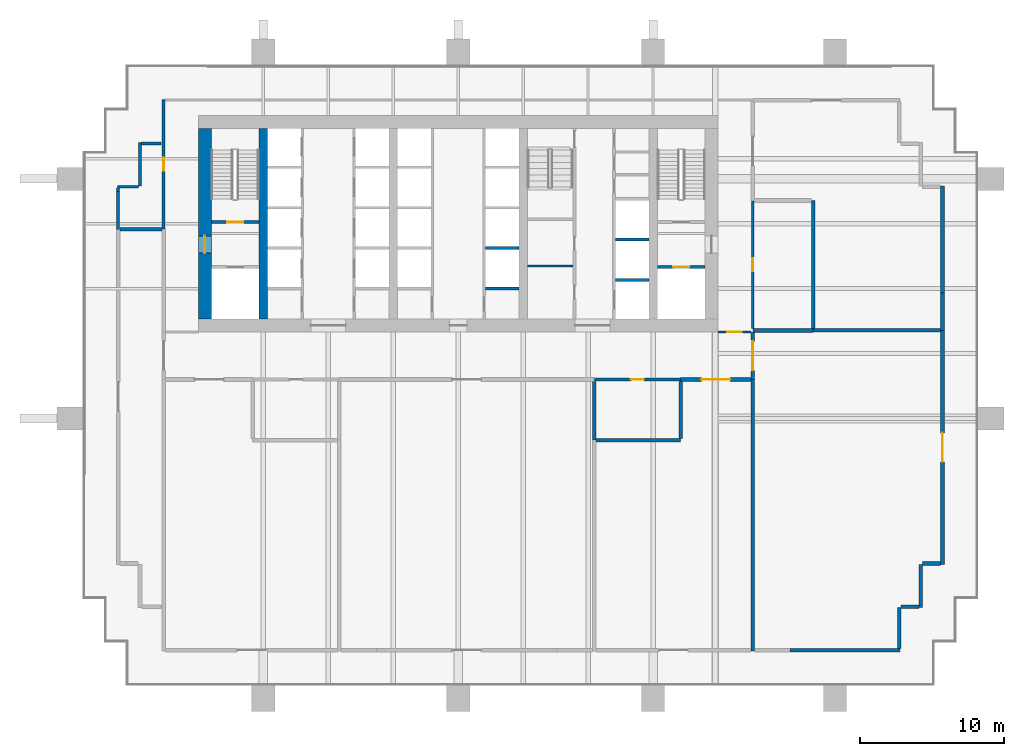
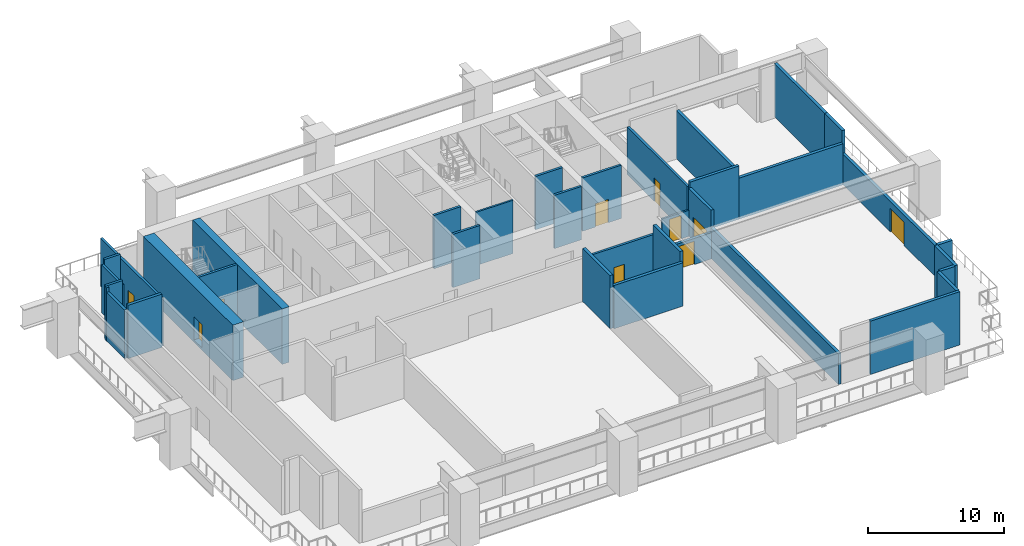
# One storey, part 3 of 9: 36 walls, 10 doors, 10 openings.
"""IFC4 building model written with IfcOpenShell, lengths in metres."""

from ifc_helpers import new_model, si_unit, direction, frame, frame_2d, origin, place, context, subcontext, project, spatial, rectangle, extrude, material, layer, layer_set, type_object, element, fill, save


model = new_model("IFC4")

# Units and contexts
model_context = context("Model", 3, precision=1e-05, world=origin(), true_north=direction((0.0, 1.0)))
body_context = subcontext(model_context, "Body", "Model", "MODEL_VIEW")
ifc_project = project(units=[si_unit("LENGTHUNIT", "METRE"), si_unit("AREAUNIT", "SQUARE_METRE"), si_unit("VOLUMEUNIT", "CUBIC_METRE"), si_unit("PLANEANGLEUNIT", "RADIAN"), si_unit("MASSUNIT", "GRAM", prefix="KILO")], contexts=[model_context])

# Site, building, storey
site_placement = place(None, origin())
site = spatial("IfcSite", under=ifc_project, at=site_placement, CompositionType="ELEMENT")
building_placement = place(site_placement, origin())
building = spatial("IfcBuilding", under=site, at=building_placement, Name="Rattan Terrace Tower", CompositionType="ELEMENT")
storey_placement = place(building_placement, frame((0.0, 0.0, 115.699951171875)))
storey = spatial("IfcBuildingStorey", under=building, at=storey_placement, Name="L26", CompositionType="ELEMENT", Elevation=115.699951171875)

# Wall
ifc_material_1 = material(Name="Gypsum board partition")
ifc_layer_1 = layer(ifc_material_1, 0.14990234375)
ifc_layer_set_1 = layer_set([ifc_layer_1], Name="Core partition 150")
wall_type_1 = type_object("IfcWallType", Name="Core partition 150", PredefinedType="PARTITIONING", material=ifc_layer_set_1)
wall_1_placement = place(storey_placement, frame((4.800048828125, -2.927978515625, 0.0), z_axis=(0.0, 0.0, 1.0), x_axis=(1.0, 0.0, 0.0)))
element("IfcWall", 1, at=wall_1_placement, inside=storey, type_object=wall_type_1, Name="Toilet wall", PredefinedType="PARTITIONING", context=body_context, shape_type="SweptSolid", body=[
    extrude(rectangle(XDim=3.14990234375, YDim=0.14990234375, at=frame_2d((1.574951171875, 0.0))), origin(), (0.0, 0.0, 1.0), 4.800048828125),
])

# Wall, opening, door
ifc_material_2 = material(Name="Gypsum board partition")
ifc_layer_2 = layer(ifc_material_2, 0.199951171875)
ifc_layer_set_2 = layer_set([ifc_layer_2], Name="Core partition 200")
wall_type_2 = type_object("IfcWallType", Name="Core partition 200", PredefinedType="PARTITIONING", material=ifc_layer_set_2)
wall_2_placement = place(storey_placement, frame((-17.10009765625, 0.10009765625, 0.0), z_axis=(0.0, 0.0, 1.0), x_axis=(1.0, 0.0, 0.0)))
wall_2 = element("IfcWall", 2, at=wall_2_placement, inside=storey, type_object=wall_type_2, Name="Stair enclosure wall", PredefinedType="PARTITIONING", context=body_context, shape_type="SweptSolid", body=[
    extrude(rectangle(XDim=3.300048828125, YDim=0.199951171875, at=frame_2d((1.64990234375, 0.0))), origin(), (0.0, 0.0, 1.0), 4.800048828125),
])
opening_1_placement = place(wall_2_placement, frame((1.10009765625, 0.0, 0.0)))
opening_1 = element("IfcOpeningElement", 3, at=opening_1_placement, cuts=wall_2, Name="Opening L26-D002", PredefinedType="OPENING", context=body_context, shape_type="SweptSolid", body=[
    extrude(rectangle(XDim=1.10009765625, YDim=2.10009765625, at=frame_2d((0.550048828125, 1.050048828125))), frame((0.0, 0.110595703125, 0.0), z_axis=(0.0, -1.0, 0.0), x_axis=(1.0, 0.0, 0.0)), (0.0, 0.0, 1.0), 0.220947265625),
])
ifc_material_3 = material(Name="Hollow-metal fire door leaf")
door_type_1 = type_object("IfcDoorType", Name="Core stair door 1100", OperationType="NOTDEFINED", PredefinedType="DOOR", material=ifc_material_3)
door_1_placement = place(opening_1_placement, origin())
door_1 = element("IfcDoor", 4, at=door_1_placement, inside=storey, type_object=door_type_1, Name="Door L26-D002", OperationType="SINGLE_SWING_LEFT", OverallHeight=2.10009765625, OverallWidth=1.10009765625, PredefinedType="DOOR", context=body_context, shape_type="SweptSolid", body=[
    extrude(rectangle(XDim=1.10009765625, YDim=2.10009765625, at=frame_2d((0.550048828125, 1.050048828125))), frame((0.0, 0.02490234375, 0.0), z_axis=(0.0, -1.0, 0.0), x_axis=(1.0, 0.0, 0.0)), (0.0, 0.0, 1.0), 0.050048828125),
])
fill(opening_1, door_1)

wall_3_placement = place(storey_placement, frame((13.800048828125, -3.0, 0.0), z_axis=(0.0, 0.0, 1.0), x_axis=(1.0, 0.0, 0.0)))
wall_3 = element("IfcWall", 5, at=wall_3_placement, inside=storey, type_object=wall_type_2, Name="Fire-fighting lobby wall", PredefinedType="PARTITIONING", context=body_context, shape_type="SweptSolid", body=[
    extrude(rectangle(XDim=3.300048828125, YDim=0.199951171875, at=frame_2d((1.64990234375, 0.0))), origin(), (0.0, 0.0, 1.0), 4.800048828125),
])
opening_2_placement = place(wall_3_placement, frame((1.10009765625, 0.0, 0.0)))
opening_2 = element("IfcOpeningElement", 6, at=opening_2_placement, cuts=wall_3, Name="Opening L26-LD-FF2", PredefinedType="OPENING", context=body_context, shape_type="SweptSolid", body=[
    extrude(rectangle(XDim=1.10009765625, YDim=2.10009765625, at=frame_2d((0.550048828125, 1.050048828125))), frame((0.0, 0.110595703125, 0.0), z_axis=(0.0, -1.0, 0.0), x_axis=(1.0, 0.0, 0.0)), (0.0, 0.0, 1.0), 0.220947265625),
])
ifc_material_4 = material(Name="Brushed stainless landing door panel")
door_type_2 = type_object("IfcDoorType", Name="Core lift landing door 1100", OperationType="DOUBLE_DOOR_SLIDING", PredefinedType="DOOR", material=ifc_material_4)
door_2_placement = place(opening_2_placement, origin())
door_2 = element("IfcDoor", 7, at=door_2_placement, inside=storey, type_object=door_type_2, Name="Door L26-LD-FF2", OperationType="DOUBLE_DOOR_SLIDING", OverallHeight=2.10009765625, OverallWidth=1.10009765625, PredefinedType="DOOR", context=body_context, shape_type="SweptSolid", body=[
    extrude(rectangle(XDim=1.10009765625, YDim=2.10009765625, at=frame_2d((0.550048828125, 1.050048828125))), frame((0.0, 0.02490234375, 0.0), z_axis=(0.0, -1.0, 0.0), x_axis=(1.0, 0.0, 0.0)), (0.0, 0.0, 1.0), 0.050048828125),
])
fill(opening_2, door_2)

ifc_material_5 = material(Name="Concrete C70/85", Category="concrete")
ifc_layer_3 = layer(ifc_material_5, 0.89990234375)
ifc_layer_set_3 = layer_set([ifc_layer_3], Name="Core ring wall 900 C70/85")
wall_type_3 = type_object("IfcWallType", Name="Core ring wall 900 C70/85", PredefinedType="SHEAR", material=ifc_layer_set_3)
wall_4_placement = place(storey_placement, frame((-17.550048828125, -6.60009765625, -0.199951171875), z_axis=(0.0, 0.0, 1.0), x_axis=(0.0, 1.0, 0.0)))
wall_4 = element("IfcWall", 8, at=wall_4_placement, inside=storey, type_object=wall_type_3, Name="Rear core wall west", PredefinedType="SHEAR", context=body_context, shape_type="SweptSolid", body=[
    extrude(rectangle(XDim=13.2001953125, YDim=0.89990234375, at=frame_2d((6.60009765625, 0.0))), origin(), (0.0, 0.0, 1.0), 5.0),
])
opening_3_placement = place(wall_4_placement, frame((4.550048828125, 0.0, 0.199951171875)))
opening_3 = element("IfcOpeningElement", 9, at=opening_3_placement, cuts=wall_4, Name="Opening L26-D001", PredefinedType="OPENING", context=body_context, shape_type="SweptSolid", body=[
    extrude(rectangle(XDim=1.199951171875, YDim=2.10009765625, at=frame_2d((0.60009765625, 1.050048828125))), frame((0.0, 0.46044921875, 0.0), z_axis=(0.0, -1.0, 0.0), x_axis=(1.0, 0.0, 0.0)), (0.0, 0.0, 1.0), 0.9208984375),
])
ifc_material_6 = material(Name="Hollow-metal fire door leaf")
door_type_3 = type_object("IfcDoorType", Name="Core fire-fighting lobby door 1200", OperationType="NOTDEFINED", PredefinedType="DOOR", material=ifc_material_6)
door_3_placement = place(opening_3_placement, origin())
door_3 = element("IfcDoor", 10, at=door_3_placement, inside=storey, type_object=door_type_3, Name="Door L26-D001", OperationType="SINGLE_SWING_RIGHT", OverallHeight=2.10009765625, OverallWidth=1.199951171875, PredefinedType="DOOR", context=body_context, shape_type="SweptSolid", body=[
    extrude(rectangle(XDim=1.199951171875, YDim=2.10009765625, at=frame_2d((0.60009765625, 1.050048828125))), frame((0.0, 0.02490234375, 0.0), z_axis=(0.0, -1.0, 0.0), x_axis=(1.0, 0.0, 0.0)), (0.0, 0.0, 1.0), 0.050048828125),
])
fill(opening_3, door_3)

# Wall
ifc_material_7 = material(Name="Concrete C70/85", Category="concrete")
ifc_layer_4 = layer(ifc_material_7, 0.60009765625)
ifc_layer_set_4 = layer_set([ifc_layer_4], Name="Core spine wall 600 C70/85")
wall_type_4 = type_object("IfcWallType", Name="Core spine wall 600 C70/85", PredefinedType="SHEAR", material=ifc_layer_set_4)
wall_5_placement = place(storey_placement, frame((-13.5, -6.60009765625, -0.199951171875), z_axis=(0.0, 0.0, 1.0), x_axis=(0.0, 1.0, 0.0)))
element("IfcWall", 11, at=wall_5_placement, inside=storey, type_object=wall_type_4, Name="Core spine wall 1", PredefinedType="SHEAR", context=body_context, shape_type="SweptSolid", body=[
    extrude(rectangle(XDim=13.2001953125, YDim=0.60009765625, at=frame_2d((6.60009765625, 0.0))), origin(), (0.0, 0.0, 1.0), 5.0),
])

# Wall, opening, door
ifc_material_8 = material(Name="Concrete block wall, plastered", Category="concrete")
ifc_layer_5 = layer(ifc_material_8, 0.199951171875)
ifc_layer_set_5 = layer_set([ifc_layer_5], Name="Floors Plant Wall 200")
wall_type_5 = type_object("IfcWallType", Name="Floors Plant Wall 200", PredefinedType="PARTITIONING", material=ifc_layer_set_5)
wall_6_placement = place(storey_placement, frame((15.39208984375, -10.799072265625, 0.0), z_axis=(0.0, 0.0, 1.0), x_axis=(-1.0, 0.0, 0.0)))
wall_6 = element("IfcWall", 12, at=wall_6_placement, inside=storey, type_object=wall_type_5, Name="pt-L26-007", PredefinedType="PARTITIONING", context=body_context, shape_type="SweptSolid", body=[
    extrude(rectangle(XDim=5.960205078125, YDim=0.199951171875, at=frame_2d((2.97998046875, 0.0))), origin(), (0.0, 0.0, 1.0), 3.900146484375),
])
opening_4_placement = place(wall_6_placement, frame((2.530029296875, 0.0, 0.0)))
opening_4 = element("IfcOpeningElement", 13, at=opening_4_placement, cuts=wall_6, Name="Opening L26-D109", PredefinedType="OPENING", context=body_context, shape_type="SweptSolid", body=[
    extrude(rectangle(XDim=0.89990234375, YDim=2.10009765625, at=frame_2d((0.449951171875, 1.050048828125))), frame((0.0, 0.110595703125, 0.0), z_axis=(0.0, -1.0, 0.0), x_axis=(1.0, 0.0, 0.0)), (0.0, 0.0, 1.0), 0.220947265625),
])
ifc_material_9 = material(Name="Steel fire door set", Category="steel")
door_type_4 = type_object("IfcDoorType", Name="Floors Fire Door FD60 900x2100", OperationType="NOTDEFINED", PredefinedType="DOOR", material=ifc_material_9)
door_4_placement = place(opening_4_placement, origin())
door_4 = element("IfcDoor", 14, at=door_4_placement, inside=storey, type_object=door_type_4, Name="d-L26-109", OperationType="SINGLE_SWING_RIGHT", OverallHeight=2.10009765625, OverallWidth=0.89990234375, PredefinedType="DOOR", context=body_context, shape_type="SweptSolid", body=[
    extrude(rectangle(XDim=0.89990234375, YDim=2.10009765625, at=frame_2d((0.449951171875, 1.050048828125))), frame((0.0, 0.02490234375, 0.0), z_axis=(0.0, -1.0, 0.0), x_axis=(1.0, 0.0, 0.0)), (0.0, 0.0, 1.0), 0.050048828125),
])
fill(opening_4, door_4)

wall_7_placement = place(storey_placement, frame((-20.39990234375, -0.3798828125, 0.0), z_axis=(0.0, 0.0, 1.0), x_axis=(0.0, 1.0, 0.0)))
wall_7 = element("IfcWall", 15, at=wall_7_placement, inside=storey, type_object=wall_type_5, Name="pt-L26-010", PredefinedType="PARTITIONING", context=body_context, shape_type="SweptSolid", body=[
    extrude(rectangle(XDim=8.97998046875, YDim=0.199951171875, at=frame_2d((4.489990234375, 0.0))), origin(), (0.0, 0.0, 1.0), 4.300048828125),
])
opening_5_placement = place(wall_7_placement, frame((4.0400390625, 0.0, 0.0)))
opening_5 = element("IfcOpeningElement", 16, at=opening_5_placement, cuts=wall_7, Name="Opening L26-D101", PredefinedType="OPENING", context=body_context, shape_type="SweptSolid", body=[
    extrude(rectangle(XDim=0.89990234375, YDim=2.10009765625, at=frame_2d((0.449951171875, 1.050048828125))), frame((0.0, 0.110595703125, 0.0), z_axis=(0.0, -1.0, 0.0), x_axis=(1.0, 0.0, 0.0)), (0.0, 0.0, 1.0), 0.220947265625),
])
door_5_placement = place(opening_5_placement, origin())
door_5 = element("IfcDoor", 17, at=door_5_placement, inside=storey, type_object=door_type_4, Name="d-L26-101", OperationType="SINGLE_SWING_RIGHT", OverallHeight=2.10009765625, OverallWidth=0.89990234375, PredefinedType="DOOR", context=body_context, shape_type="SweptSolid", body=[
    extrude(rectangle(XDim=0.89990234375, YDim=2.10009765625, at=frame_2d((0.449951171875, 1.050048828125))), frame((0.0, 0.02490234375, 0.0), z_axis=(0.0, -1.0, 0.0), x_axis=(1.0, 0.0, 0.0)), (0.0, 0.0, 1.0), 0.050048828125),
])
fill(opening_5, door_5)

wall_8_placement = place(storey_placement, frame((20.39892578125, 1.580078125, 0.0), z_axis=(0.0, 0.0, 1.0), x_axis=(0.0, -1.0, 0.0)))
wall_8 = element("IfcWall", 18, at=wall_8_placement, inside=storey, type_object=wall_type_5, Name="pt-L26-012", PredefinedType="PARTITIONING", context=body_context, shape_type="SweptSolid", body=[
    extrude(rectangle(XDim=8.85595703125, YDim=0.199951171875, at=frame_2d((4.427978515625, 0.0))), origin(), (0.0, 0.0, 1.0), 4.300048828125),
])
opening_6_placement = place(wall_8_placement, frame((3.97802734375, 0.0, 0.0)))
opening_6 = element("IfcOpeningElement", 19, at=opening_6_placement, cuts=wall_8, Name="Opening L26-D114", PredefinedType="OPENING", context=body_context, shape_type="SweptSolid", body=[
    extrude(rectangle(XDim=0.89990234375, YDim=2.10009765625, at=frame_2d((0.449951171875, 1.050048828125))), frame((0.0, 0.110595703125, 0.0), z_axis=(0.0, -1.0, 0.0), x_axis=(1.0, 0.0, 0.0)), (0.0, 0.0, 1.0), 0.220947265625),
])
door_6_placement = place(opening_6_placement, origin())
door_6 = element("IfcDoor", 20, at=door_6_placement, inside=storey, type_object=door_type_4, Name="d-L26-114", OperationType="SINGLE_SWING_LEFT", OverallHeight=2.10009765625, OverallWidth=0.89990234375, PredefinedType="DOOR", context=body_context, shape_type="SweptSolid", body=[
    extrude(rectangle(XDim=0.89990234375, YDim=2.10009765625, at=frame_2d((0.449951171875, 1.050048828125))), frame((0.0, 0.02490234375, 0.0), z_axis=(0.0, -1.0, 0.0), x_axis=(1.0, 0.0, 0.0)), (0.0, 0.0, 1.0), 0.050048828125),
])
fill(opening_6, door_6)

# Walls
wall_9_placement = place(storey_placement, frame((-23.551025390625, -0.39990234375, 0.0), z_axis=(0.0, 0.0, 1.0), x_axis=(0.0, 1.0, 0.0)))
element("IfcWall", 21, at=wall_9_placement, inside=storey, type_object=wall_type_5, Name="pt-L26-016", PredefinedType="PARTITIONING", context=body_context, shape_type="SweptSolid", body=[
    extrude(rectangle(XDim=2.619873046875, YDim=0.199951171875, at=frame_2d((1.31005859375, 0.0))), origin(), (0.0, 0.0, 1.0), 4.400146484375),
])
wall_10_placement = place(storey_placement, frame((-23.60009765625, 2.551025390625, 0.0), z_axis=(0.0, 0.0, 1.0), x_axis=(1.0, 0.0, 0.0)))
element("IfcWall", 22, at=wall_10_placement, inside=storey, type_object=wall_type_5, Name="pt-L26-017", PredefinedType="PARTITIONING", context=body_context, shape_type="SweptSolid", body=[
    extrude(rectangle(XDim=1.44921875, YDim=0.199951171875, at=frame_2d((0.724609375, 0.0))), origin(), (0.0, 0.0, 1.0), 4.800048828125),
])
wall_11_placement = place(storey_placement, frame((-23.551025390625, 2.219970703125, 0.0), z_axis=(0.0, 0.0, 1.0), x_axis=(0.0, 1.0, 0.0)))
element("IfcWall", 23, at=wall_11_placement, inside=storey, type_object=wall_type_5, Name="pt-L26-018", PredefinedType="PARTITIONING", context=body_context, shape_type="SweptSolid", body=[
    extrude(rectangle(XDim=0.23095703125, YDim=0.199951171875, at=frame_2d((0.115478515625, 0.0))), origin(), (0.0, 0.0, 1.0), 4.800048828125),
])
wall_12_placement = place(storey_placement, frame((-22.051025390625, 2.60009765625, 0.0), z_axis=(0.0, 0.0, 1.0), x_axis=(0.0, 1.0, 0.0)))
element("IfcWall", 24, at=wall_12_placement, inside=storey, type_object=wall_type_5, Name="pt-L26-019", PredefinedType="PARTITIONING", context=body_context, shape_type="SweptSolid", body=[
    extrude(rectangle(XDim=3.0, YDim=0.199951171875, at=frame_2d((1.5, 0.0))), origin(), (0.0, 0.0, 1.0), 4.300048828125),
])
wall_13_placement = place(storey_placement, frame((-21.950927734375, 5.551025390625, 0.0), z_axis=(0.0, 0.0, 1.0), x_axis=(1.0, 0.0, 0.0)))
element("IfcWall", 25, at=wall_13_placement, inside=storey, type_object=wall_type_5, Name="pt-L26-020", PredefinedType="PARTITIONING", context=body_context, shape_type="SweptSolid", body=[
    extrude(rectangle(XDim=1.350830078125, YDim=0.199951171875, at=frame_2d((0.67529296875, 0.0))), origin(), (0.0, 0.0, 1.0), 4.800048828125),
])

# Wall, opening, door
ifc_material_10 = material(Name="Reinforced concrete wall, painted", Category="concrete")
ifc_layer_6 = layer(ifc_material_10, 0.25)
ifc_layer_set_6 = layer_set([ifc_layer_6], Name="Floors Refuge Wall 250")
wall_type_6 = type_object("IfcWallType", Name="Floors Refuge Wall 250", PredefinedType="PARTITIONING", material=ifc_layer_set_6)
wall_14_placement = place(storey_placement, frame((20.27490234375, -10.799072265625, 0.0), z_axis=(0.0, 0.0, 1.0), x_axis=(-1.0, 0.0, 0.0)))
wall_14 = element("IfcWall", 26, at=wall_14_placement, inside=storey, type_object=wall_type_6, Name="pt-L26-008", PredefinedType="PARTITIONING", context=body_context, shape_type="SweptSolid", body=[
    extrude(rectangle(XDim=4.8828125, YDim=0.25, at=frame_2d((2.44140625, 0.0))), origin(), (0.0, 0.0, 1.0), 2.35009765625),
])
opening_7_placement = place(wall_14_placement, frame((1.44091796875, 0.0, 0.0)))
opening_7 = element("IfcOpeningElement", 27, at=opening_7_placement, cuts=wall_14, Name="Opening L26-D110", PredefinedType="OPENING", context=body_context, shape_type="SweptSolid", body=[
    extrude(rectangle(XDim=2.0, YDim=2.10009765625, at=frame_2d((1.0, 1.050048828125))), frame((0.0, 0.135498046875, 0.0), z_axis=(0.0, -1.0, 0.0), x_axis=(1.0, 0.0, 0.0)), (0.0, 0.0, 1.0), 0.27099609375),
])
ifc_material_11 = material(Name="Steel fire door set", Category="steel")
door_type_5 = type_object("IfcDoorType", Name="Floors Plant Equipment Door Pair FD120 2000x2100", OperationType="NOTDEFINED", PredefinedType="DOOR", material=ifc_material_11)
door_7_placement = place(opening_7_placement, origin())
door_7 = element("IfcDoor", 28, at=door_7_placement, inside=storey, type_object=door_type_5, Name="d-L26-110", OperationType="DOUBLE_DOOR_SINGLE_SWING", OverallHeight=2.10009765625, OverallWidth=2.0, PredefinedType="DOOR", context=body_context, shape_type="SweptSolid", body=[
    extrude(rectangle(XDim=2.0, YDim=2.10009765625, at=frame_2d((1.0, 1.050048828125))), frame((0.0, 0.02490234375, 0.0), z_axis=(0.0, -1.0, 0.0), x_axis=(1.0, 0.0, 0.0)), (0.0, 0.0, 1.0), 0.050048828125),
])
fill(opening_7, door_7)

wall_15_placement = place(storey_placement, frame((20.40087890625, -7.52587890625, 0.0), z_axis=(0.0, 0.0, 1.0), x_axis=(0.0, -1.0, 0.0)))
wall_15 = element("IfcWall", 29, at=wall_15_placement, inside=storey, type_object=wall_type_6, Name="pt-L26-009", PredefinedType="PARTITIONING", context=body_context, shape_type="SweptSolid", body=[
    extrude(rectangle(XDim=3.274169921875, YDim=0.25, at=frame_2d((1.63720703125, 0.0))), origin(), (0.0, 0.0, 1.0), 4.300048828125),
])
opening_8_placement = place(wall_15_placement, frame((0.636962890625, 0.0, 0.0)))
opening_8 = element("IfcOpeningElement", 30, at=opening_8_placement, cuts=wall_15, Name="Opening L26-D112", PredefinedType="OPENING", context=body_context, shape_type="SweptSolid", body=[
    extrude(rectangle(XDim=2.0, YDim=2.10009765625, at=frame_2d((1.0, 1.050048828125))), frame((0.0, 0.135498046875, 0.0), z_axis=(0.0, -1.0, 0.0), x_axis=(1.0, 0.0, 0.0)), (0.0, 0.0, 1.0), 0.27099609375),
])
door_8_placement = place(opening_8_placement, origin())
door_8 = element("IfcDoor", 31, at=door_8_placement, inside=storey, type_object=door_type_5, Name="d-L26-112", OperationType="DOUBLE_DOOR_SINGLE_SWING", OverallHeight=2.10009765625, OverallWidth=2.0, PredefinedType="DOOR", context=body_context, shape_type="SweptSolid", body=[
    extrude(rectangle(XDim=2.0, YDim=2.10009765625, at=frame_2d((1.0, 1.050048828125))), frame((0.0, 0.02490234375, 0.0), z_axis=(0.0, -1.0, 0.0), x_axis=(1.0, 0.0, 0.0)), (0.0, 0.0, 1.0), 0.050048828125),
])
fill(opening_8, door_8)

# Walls
wall_16_placement = place(storey_placement, frame((-20.52490234375, -0.39697265625, 0.0), z_axis=(0.0, 0.0, 1.0), x_axis=(-1.0, 0.0, 0.0)))
element("IfcWall", 32, at=wall_16_placement, inside=storey, type_object=wall_type_6, Name="pt-L26-015", PredefinedType="PARTITIONING", context=body_context, shape_type="SweptSolid", body=[
    extrude(rectangle(XDim=2.88818359375, YDim=0.25, at=frame_2d((1.444091796875, 0.0))), origin(), (0.0, 0.0, 1.0), 4.800048828125),
])
wall_17_placement = place(storey_placement, frame((9.412109375, -10.925048828125, 0.0), z_axis=(0.0, 0.0, 1.0), x_axis=(0.0, -1.0, 0.0)))
element("IfcWall", 33, at=wall_17_placement, inside=storey, type_object=wall_type_6, Name="pt-L26-032", PredefinedType="PARTITIONING", context=body_context, shape_type="SweptSolid", body=[
    extrude(rectangle(XDim=4.054931640625, YDim=0.25, at=frame_2d((2.02734375, 0.0))), origin(), (0.0, 0.0, 1.0), 4.800048828125),
])
wall_18_placement = place(storey_placement, frame((15.412109375, -14.9990234375, 0.0), z_axis=(0.0, 0.0, 1.0), x_axis=(-1.0, 0.0, 0.0)))
element("IfcWall", 34, at=wall_18_placement, inside=storey, type_object=wall_type_6, Name="pt-L26-037", PredefinedType="PARTITIONING", context=body_context, shape_type="SweptSolid", body=[
    extrude(rectangle(XDim=5.875, YDim=0.25, at=frame_2d((2.9375, 0.0))), origin(), (0.0, 0.0, 1.0), 3.900146484375),
])
wall_19_placement = place(storey_placement, frame((15.412109375, -10.924072265625, 0.0), z_axis=(0.0, 0.0, 1.0), x_axis=(0.0, -1.0, 0.0)))
element("IfcWall", 35, at=wall_19_placement, inside=storey, type_object=wall_type_6, Name="pt-L26-038", PredefinedType="PARTITIONING", context=body_context, shape_type="SweptSolid", body=[
    extrude(rectangle(XDim=3.949951171875, YDim=0.25, at=frame_2d((1.97509765625, 0.0))), origin(), (0.0, 0.0, 1.0), 4.800048828125),
])
wall_20_placement = place(storey_placement, frame((20.39990234375, -10.800048828125, 0.0), z_axis=(0.0, 0.0, 1.0), x_axis=(0.0, -1.0, 0.0)))
element("IfcWall", 36, at=wall_20_placement, inside=storey, type_object=wall_type_6, Name="pt-L26-039", PredefinedType="PARTITIONING", context=body_context, shape_type="SweptSolid", body=[
    extrude(rectangle(XDim=18.800048828125, YDim=0.25, at=frame_2d((9.39990234375, 0.0))), origin(), (0.0, 0.0, 1.0), 2.75),
])
wall_21_placement = place(storey_placement, frame((20.39990234375, -7.40087890625, 0.0), z_axis=(0.0, 0.0, 1.0), x_axis=(1.0, 0.0, 0.0)))
element("IfcWall", 37, at=wall_21_placement, inside=storey, type_object=wall_type_6, Name="pt-L26-041", PredefinedType="PARTITIONING", context=body_context, shape_type="SweptSolid", body=[
    extrude(rectangle(XDim=4.18017578125, YDim=0.25, at=frame_2d((2.090087890625, 0.0))), origin(), (0.0, 0.0, 1.0), 4.800048828125),
])
wall_22_placement = place(storey_placement, frame((24.580078125, -7.39990234375, 0.0), z_axis=(0.0, 0.0, 1.0), x_axis=(1.0, 0.0, 0.0)))
element("IfcWall", 38, at=wall_22_placement, inside=storey, type_object=wall_type_6, Name="pt-L26-042", PredefinedType="PARTITIONING", context=body_context, shape_type="SweptSolid", body=[
    extrude(rectangle(XDim=8.8330078125, YDim=0.25, at=frame_2d((4.41650390625, 0.0))), origin(), (0.0, 0.0, 1.0), 3.699951171875),
])
wall_23_placement = place(storey_placement, frame((30.5390625, -26.60009765625, 0.0), z_axis=(0.0, 0.0, 1.0), x_axis=(0.0, -1.0, 0.0)))
element("IfcWall", 39, at=wall_23_placement, inside=storey, type_object=wall_type_6, Name="pt-L26-044", PredefinedType="PARTITIONING", context=body_context, shape_type="SweptSolid", body=[
    extrude(rectangle(XDim=2.81298828125, YDim=0.25, at=frame_2d((1.406494140625, 0.0))), origin(), (0.0, 0.0, 1.0), 4.800048828125),
])
wall_24_placement = place(storey_placement, frame((30.60009765625, -29.5380859375, 0.0), z_axis=(0.0, 0.0, 1.0), x_axis=(-1.0, 0.0, 0.0)))
element("IfcWall", 40, at=wall_24_placement, inside=storey, type_object=wall_type_6, Name="pt-L26-045", PredefinedType="PARTITIONING", context=body_context, shape_type="SweptSolid", body=[
    extrude(rectangle(XDim=7.6201171875, YDim=0.25, at=frame_2d((3.81005859375, 0.0))), origin(), (0.0, 0.0, 1.0), 4.800048828125),
])
wall_25_placement = place(storey_placement, frame((31.9140625, -26.5390625, 0.0), z_axis=(0.0, 0.0, 1.0), x_axis=(-1.0, 0.0, 0.0)))
element("IfcWall", 41, at=wall_25_placement, inside=storey, type_object=wall_type_6, Name="pt-L26-046", PredefinedType="PARTITIONING", context=body_context, shape_type="SweptSolid", body=[
    extrude(rectangle(XDim=1.25, YDim=0.25, at=frame_2d((0.625, 0.0))), origin(), (0.0, 0.0, 1.0), 4.800048828125),
])
wall_26_placement = place(storey_placement, frame((32.0390625, -23.60009765625, 0.0), z_axis=(0.0, 0.0, 1.0), x_axis=(0.0, -1.0, 0.0)))
element("IfcWall", 42, at=wall_26_placement, inside=storey, type_object=wall_type_6, Name="pt-L26-047", PredefinedType="PARTITIONING", context=body_context, shape_type="SweptSolid", body=[
    extrude(rectangle(XDim=3.0, YDim=0.25, at=frame_2d((1.5, 0.0))), origin(), (0.0, 0.0, 1.0), 4.800048828125),
])
wall_27_placement = place(storey_placement, frame((33.4130859375, -23.5390625, 0.0), z_axis=(0.0, 0.0, 1.0), x_axis=(-1.0, 0.0, 0.0)))
element("IfcWall", 43, at=wall_27_placement, inside=storey, type_object=wall_type_6, Name="pt-L26-048", PredefinedType="PARTITIONING", context=body_context, shape_type="SweptSolid", body=[
    extrude(rectangle(XDim=1.2490234375, YDim=0.25, at=frame_2d((0.62451171875, 0.0))), origin(), (0.0, 0.0, 1.0), 4.800048828125),
])

# Wall, opening, door
wall_28_placement = place(storey_placement, frame((33.5380859375, -23.60009765625, 0.0), z_axis=(0.0, 0.0, 1.0), x_axis=(0.0, 1.0, 0.0)))
wall_28 = element("IfcWall", 44, at=wall_28_placement, inside=storey, type_object=wall_type_6, Name="pt-L26-049", PredefinedType="PARTITIONING", context=body_context, shape_type="SweptSolid", body=[
    extrude(rectangle(XDim=16.2001953125, YDim=0.25, at=frame_2d((8.10009765625, 0.0))), origin(), (0.0, 0.0, 1.0), 2.75),
])
opening_9_placement = place(wall_28_placement, frame((7.10009765625, 0.0, 0.0)))
opening_9 = element("IfcOpeningElement", 45, at=opening_9_placement, cuts=wall_28, Name="Opening L26-D113", PredefinedType="OPENING", context=body_context, shape_type="SweptSolid", body=[
    extrude(rectangle(XDim=2.0, YDim=2.10009765625, at=frame_2d((1.0, 1.050048828125))), frame((0.0, 0.135498046875, 0.0), z_axis=(0.0, -1.0, 0.0), x_axis=(1.0, 0.0, 0.0)), (0.0, 0.0, 1.0), 0.27099609375),
])
door_9_placement = place(opening_9_placement, origin())
door_9 = element("IfcDoor", 46, at=door_9_placement, inside=storey, type_object=door_type_5, Name="d-L26-113", OperationType="DOUBLE_DOOR_SINGLE_SWING", OverallHeight=2.10009765625, OverallWidth=2.0, PredefinedType="DOOR", context=body_context, shape_type="SweptSolid", body=[
    extrude(rectangle(XDim=2.0, YDim=2.10009765625, at=frame_2d((1.0, 1.050048828125))), frame((0.0, 0.02490234375, 0.0), z_axis=(0.0, -1.0, 0.0), x_axis=(1.0, 0.0, 0.0)), (0.0, 0.0, 1.0), 0.050048828125),
])
fill(opening_9, door_9)

# Walls
wall_29_placement = place(storey_placement, frame((24.60009765625, 1.60009765625, 0.0), z_axis=(0.0, 0.0, 1.0), x_axis=(0.0, -1.0, 0.0)))
element("IfcWall", 47, at=wall_29_placement, inside=storey, type_object=wall_type_6, Name="pt-L26-051", PredefinedType="PARTITIONING", context=body_context, shape_type="SweptSolid", body=[
    extrude(rectangle(XDim=8.875, YDim=0.25, at=frame_2d((4.4375, 0.0))), origin(), (0.0, 0.0, 1.0), 4.300048828125),
])
wall_30_placement = place(storey_placement, frame((33.5390625, -4.820068359375, 0.0), z_axis=(0.0, 0.0, 1.0), x_axis=(0.0, -1.0, 0.0)))
element("IfcWall", 48, at=wall_30_placement, inside=storey, type_object=wall_type_6, Name="pt-L26-052", PredefinedType="PARTITIONING", context=body_context, shape_type="SweptSolid", body=[
    extrude(rectangle(XDim=2.579833984375, YDim=0.25, at=frame_2d((1.2900390625, 0.0))), origin(), (0.0, 0.0, 1.0), 4.800048828125),
])
wall_31_placement = place(storey_placement, frame((33.5380859375, 2.60009765625, 0.0), z_axis=(0.0, 0.0, 1.0), x_axis=(0.0, -1.0, 0.0)))
element("IfcWall", 49, at=wall_31_placement, inside=storey, type_object=wall_type_6, Name="pt-L26-058", PredefinedType="PARTITIONING", context=body_context, shape_type="SweptSolid", body=[
    extrude(rectangle(XDim=7.420166015625, YDim=0.25, at=frame_2d((3.7099609375, 0.0))), origin(), (0.0, 0.0, 1.0), 4.800048828125),
])

# Wall, opening, door
ifc_material_12 = material(Name="Gypsum board partition on steel studs, fire rated", Category="steel")
ifc_layer_7 = layer(ifc_material_12, 0.14990234375)
ifc_layer_set_7 = layer_set([ifc_layer_7], Name="Floors Tenancy Wall 150")
wall_type_7 = type_object("IfcWallType", Name="Floors Tenancy Wall 150", PredefinedType="PARTITIONING", material=ifc_layer_set_7)
wall_32_placement = place(storey_placement, frame((17.97998046875, -7.4990234375, 0.0), z_axis=(0.0, 0.0, 1.0), x_axis=(1.0, 0.0, 0.0)))
wall_32 = element("IfcWall", 50, at=wall_32_placement, inside=storey, type_object=wall_type_7, Name="pt-L26-002", PredefinedType="PARTITIONING", context=body_context, shape_type="SweptSolid", body=[
    extrude(rectangle(XDim=2.2958984375, YDim=0.14990234375, at=frame_2d((1.14794921875, 0.0))), origin(), (0.0, 0.0, 1.0), 2.35009765625),
])
opening_10_placement = place(wall_32_placement, frame((0.64794921875, 0.0, 0.0)))
opening_10 = element("IfcOpeningElement", 51, at=opening_10_placement, cuts=wall_32, Name="Opening L26-D100", PredefinedType="OPENING", context=body_context, shape_type="SweptSolid", body=[
    extrude(rectangle(XDim=1.0, YDim=2.10009765625, at=frame_2d((0.5, 1.050048828125))), frame((0.0, 0.08544921875, 0.0), z_axis=(0.0, -1.0, 0.0), x_axis=(1.0, 0.0, 0.0)), (0.0, 0.0, 1.0), 0.1708984375),
])
ifc_material_13 = material(Name="Steel fire door set", Category="steel")
door_type_6 = type_object("IfcDoorType", Name="Floors Fire Door FD30S 1000x2100", OperationType="NOTDEFINED", PredefinedType="DOOR", material=ifc_material_13)
door_10_placement = place(opening_10_placement, origin())
door_10 = element("IfcDoor", 52, at=door_10_placement, inside=storey, type_object=door_type_6, Name="d-L26-100", OperationType="SINGLE_SWING_LEFT", OverallHeight=2.10009765625, OverallWidth=1.0, PredefinedType="DOOR", context=body_context, shape_type="SweptSolid", body=[
    extrude(rectangle(XDim=1.0, YDim=2.10009765625, at=frame_2d((0.5, 1.050048828125))), frame((0.0, 0.02490234375, 0.0), z_axis=(0.0, -1.0, 0.0), x_axis=(1.0, 0.0, 0.0)), (0.0, 0.0, 1.0), 0.050048828125),
])
fill(opening_10, door_10)

# Walls
ifc_material_14 = material(Name="Gypsum shaft wall system")
ifc_layer_8 = layer(ifc_material_14, 0.199951171875)
ifc_layer_set_8 = layer_set([ifc_layer_8], Name="Lift shaft wall 200")
wall_type_8 = type_object("IfcWallType", Name="Lift shaft wall 200", PredefinedType="PARTITIONING", material=ifc_layer_set_8)
for number, where, z_axis, x_axis, name in (
    (53, (1.89990234375, -1.699951171875, 0.0), (0.0, 0.0, 1.0), (1.0, 0.0, 0.0), "Lift shaft wall"),
    (54, (1.89990234375, -4.5, 0.0), (0.0, 0.0, 1.0), (1.0, 0.0, 0.0), "Lift shaft wall"),
    (55, (10.89990234375, -3.89990234375, 0.0), (0.0, 0.0, 1.0), (1.0, 0.0, 0.0), "Lift shaft wall"),
    (56, (10.89990234375, -1.10009765625, 0.0), (0.0, 0.0, 1.0), (1.0, 0.0, 0.0), "Lift shaft wall"),
):
    element("IfcWall", number, at=place(storey_placement, frame(where, z_axis=z_axis, x_axis=x_axis)), inside=storey, type_object=wall_type_8, Name=name, PredefinedType="PARTITIONING", context=body_context, shape_type="SweptSolid", body=[
        extrude(rectangle(XDim=2.300048828125, YDim=0.199951171875, at=frame_2d((1.14990234375, 0.0))), origin(), (0.0, 0.0, 1.0), 4.800048828125),
    ])

save(model, "model.ifc")
